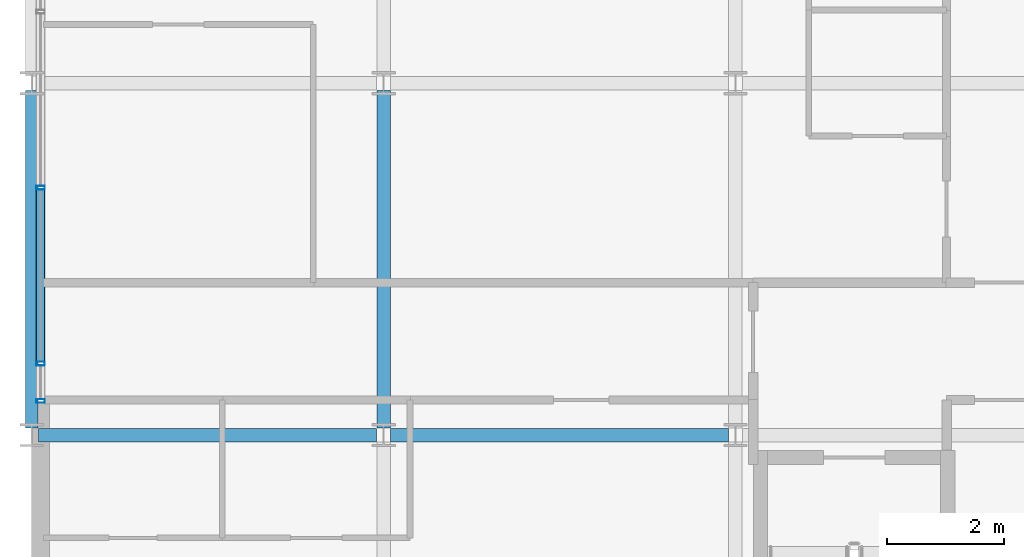
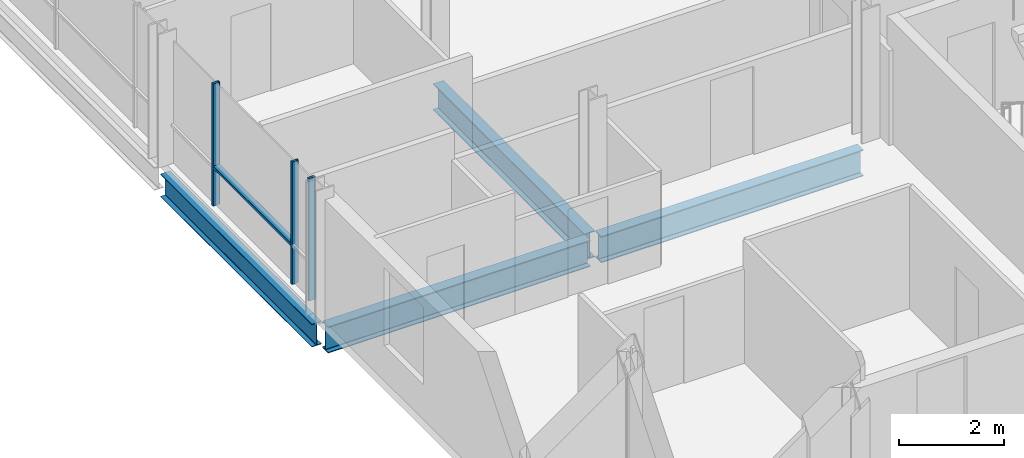
# One storey, part 3 of 36: 4 beams, 4 members, 1 element without a shape of its own.
"""IFC4 building model written with IfcOpenShell, lengths in metres."""

from ifc_helpers import new_model, si_unit, direction, frame, origin, origin_2d, place, context, subcontext, project, spatial, hollow_rectangle, i_section, extrude, material, layer, layer_set, material_profile, profile_set, type_object, element, aggregate, save


model = new_model("IFC4")

# Units and contexts
model_context = context("Model", 3, precision=1e-05, world=origin(), true_north=direction((0.0, 1.0)))
body_context = subcontext(model_context, "Body", "Model", "MODEL_VIEW")
ifc_project = project(units=[si_unit("LENGTHUNIT", "METRE"), si_unit("AREAUNIT", "SQUARE_METRE"), si_unit("VOLUMEUNIT", "CUBIC_METRE"), si_unit("PLANEANGLEUNIT", "RADIAN"), si_unit("MASSUNIT", "GRAM", prefix="KILO")], contexts=[model_context])

# Site, building, storey
site_placement = place(None, origin())
site = spatial("IfcSite", under=ifc_project, at=site_placement, CompositionType="ELEMENT")
building_placement = place(site_placement, origin())
building = spatial("IfcBuilding", under=site, at=building_placement, Name="Brevholm Reach", CompositionType="ELEMENT")
storey_placement = place(building_placement, frame((0.0, 0.0, 175.89990234375)))
storey = spatial("IfcBuildingStorey", under=building, at=storey_placement, Name="L53", CompositionType="ELEMENT", Elevation=175.89990234375)

# Beams
ifc_material_1 = material(Name="Structural Steel S355J2", Category="steel")
ifc_material_profile_1 = material_profile(ifc_material_1, i_section(OverallWidth=0.209228515625, OverallDepth=0.533203125, WebThickness=0.010009765625, FlangeThickness=0.015625, FilletRadius=0.0126953125, at=origin_2d()), Name="UKB 533x210x92")
ifc_profile_set_1 = profile_set([ifc_material_profile_1], Name="Structural Steel S355J2")
beam_type_1 = type_object("IfcBeamType", Name="BM-SP533", PredefinedType="SPANDREL", material=ifc_profile_set_1)
beam_placement = place(storey_placement, frame((0.0, 10.1201171875, -0.4765625), z_axis=(0.0, 1.0, 0.0), x_axis=(-1.0, 0.0, 0.0)))
element("IfcBeam", 1, at=beam_placement, inside=storey, type_object=beam_type_1, Name="L53 SP-02 Framing Beam", PredefinedType="SPANDREL", context=body_context, shape_type="SweptSolid", body=[
    extrude(i_section(OverallWidth=0.209228515625, OverallDepth=0.533203125, WebThickness=0.010009765625, FlangeThickness=0.015625, FilletRadius=0.0126953125, at=origin_2d()), origin(), (0.0, 0.0, 1.0), 5.759765625),
])
ifc_material_2 = material(Name="Structural Steel S355J2", Category="steel")
ifc_material_profile_2 = material_profile(ifc_material_2, i_section(OverallWidth=0.22900390625, OverallDepth=0.6123046875, WebThickness=0.011962890625, FlangeThickness=0.01953125, FilletRadius=0.0126953125, at=origin_2d()), Name="UKB 610x229x125")
ifc_profile_set_2 = profile_set([ifc_material_profile_2], Name="Structural Steel S355J2")
beam_type_2 = type_object("IfcBeamType", Name="BM-SP610", PredefinedType="SPANDREL", material=ifc_profile_set_2)
for number, where, z_axis, x_axis, name in (
    (2, (0.1201171875, 10.0, -0.51611328125), (1.0, 0.0, 0.0), (0.0, 1.0, 0.0), "L53 SP-01 Framing Beam"),
    (3, (6.1201171875, 10.0, -0.51611328125), (1.0, 0.0, 0.0), (0.0, 1.0, 0.0), "L53 SP-01 Framing Beam"),
    (4, (6.0, 10.1201171875, -0.51611328125), (0.0, 1.0, 0.0), (-1.0, 0.0, 0.0), "L53 SP-01 Framing Beam"),
):
    element("IfcBeam", number, at=place(storey_placement, frame(where, z_axis=z_axis, x_axis=x_axis)), inside=storey, type_object=beam_type_2, Name=name, PredefinedType="SPANDREL", context=body_context, shape_type="SweptSolid", body=[
        extrude(i_section(OverallWidth=0.22900390625, OverallDepth=0.6123046875, WebThickness=0.011962890625, FlangeThickness=0.01953125, FilletRadius=0.0126953125, at=origin_2d()), origin(), (0.0, 0.0, 1.0), 5.759765625),
    ])

# Curtain wall, members
ifc_material_3 = material(Name="Dark Anodised Aluminium 6063-T6 and Solar-Control Glass", Category="aluminium")
ifc_layer = layer(ifc_material_3, 0.14990234375)
ifc_layer_set = layer_set([ifc_layer], Name="Dark Anodised Aluminium 6063-T6 and Solar-Control Glass")
curtain_wall_type = type_object("IfcCurtainWallType", Name="CW-01", PredefinedType="NOTDEFINED", material=ifc_layer_set)
curtain_wall_placement = place(storey_placement, origin())
curtain_wall = element("IfcCurtainWall", 5, at=curtain_wall_placement, inside=storey, type_object=curtain_wall_type, Name="L53 Curtain Wall CW-01", PredefinedType="NOTDEFINED")
ifc_material_4 = material(Name="Dark Anodised Aluminium 6063-T6", Category="aluminium")
ifc_material_profile_3 = material_profile(ifc_material_4, hollow_rectangle(XDim=0.06494140625, YDim=0.14990234375, WallThickness=0.0048828125, InnerFilletRadius=0.0048828125, OuterFilletRadius=0.010009765625, at=origin_2d()), Name="RHS 150x65x5")
ifc_profile_set_3 = profile_set([ifc_material_profile_3], Name="Dark Anodised Aluminium 6063-T6")
member_type_1 = type_object("IfcMemberType", Name="CWM-150", PredefinedType="MULLION", material=ifc_profile_set_3)
member_1_placement = place(storey_placement, frame((0.14990234375, 14.219970703125, 0.0), z_axis=(0.0, 0.0, 1.0), x_axis=(0.0, -1.0, 0.0)))
member_1 = element("IfcMember", 6, at=member_1_placement, type_object=member_type_1, Name="CM-150 Mullion 4", PredefinedType="MULLION", context=body_context, shape_type="SweptSolid", body=[
    extrude(hollow_rectangle(XDim=0.06494140625, YDim=0.14990234375, WallThickness=0.0048828125, InnerFilletRadius=0.0048828125, OuterFilletRadius=0.010009765625, at=origin_2d()), origin(), (0.0, 0.0, 1.0), 2.840087890625),
])
member_2_placement = place(storey_placement, frame((0.14990234375, 11.219970703125, 0.0), z_axis=(0.0, 0.0, 1.0), x_axis=(0.0, -1.0, 0.0)))
member_2 = element("IfcMember", 7, at=member_2_placement, type_object=member_type_1, Name="CM-150 Mullion 5", PredefinedType="MULLION", context=body_context, shape_type="SweptSolid", body=[
    extrude(hollow_rectangle(XDim=0.06494140625, YDim=0.14990234375, WallThickness=0.0048828125, InnerFilletRadius=0.0048828125, OuterFilletRadius=0.010009765625, at=origin_2d()), origin(), (0.0, 0.0, 1.0), 2.840087890625),
])
member_3_placement = place(storey_placement, frame((0.14990234375, 10.58251953125, 0.0), z_axis=(0.0, 0.0, 1.0), x_axis=(0.0, -1.0, 0.0)))
member_3 = element("IfcMember", 8, at=member_3_placement, type_object=member_type_1, Name="CM-150 Mullion 6", PredefinedType="MULLION", context=body_context, shape_type="SweptSolid", body=[
    extrude(hollow_rectangle(XDim=0.06494140625, YDim=0.14990234375, WallThickness=0.0048828125, InnerFilletRadius=0.0048828125, OuterFilletRadius=0.010009765625, at=origin_2d()), origin(), (0.0, 0.0, 1.0), 2.840087890625),
])
ifc_material_5 = material(Name="Dark Anodised Aluminium 6063-T6", Category="aluminium")
ifc_material_profile_4 = material_profile(ifc_material_5, hollow_rectangle(XDim=0.06494140625, YDim=0.14990234375, WallThickness=0.0048828125, InnerFilletRadius=0.0048828125, OuterFilletRadius=0.010009765625, at=origin_2d()), Name="RHS 150x65x5")
ifc_profile_set_4 = profile_set([ifc_material_profile_4], Name="Dark Anodised Aluminium 6063-T6")
member_type_2 = type_object("IfcMemberType", Name="CWT-150", PredefinedType="NOTDEFINED", material=ifc_profile_set_4)
member_4_placement = place(storey_placement, frame((0.14990234375, 14.1875, 0.900146484375), z_axis=(0.0, -1.0, 0.0), x_axis=(0.0, 0.0, 1.0)))
member_4 = element("IfcMember", 9, at=member_4_placement, type_object=member_type_2, Name="CT-150 Transom 4.1", ObjectType="TRANSOM", PredefinedType="USERDEFINED", context=body_context, shape_type="SweptSolid", body=[
    extrude(hollow_rectangle(XDim=0.06494140625, YDim=0.14990234375, WallThickness=0.0048828125, InnerFilletRadius=0.0048828125, OuterFilletRadius=0.010009765625, at=origin_2d()), origin(), (0.0, 0.0, 1.0), 2.93505859375),
])
aggregate(curtain_wall, [member_1, member_2, member_3, member_4])

save(model, "model.ifc")
